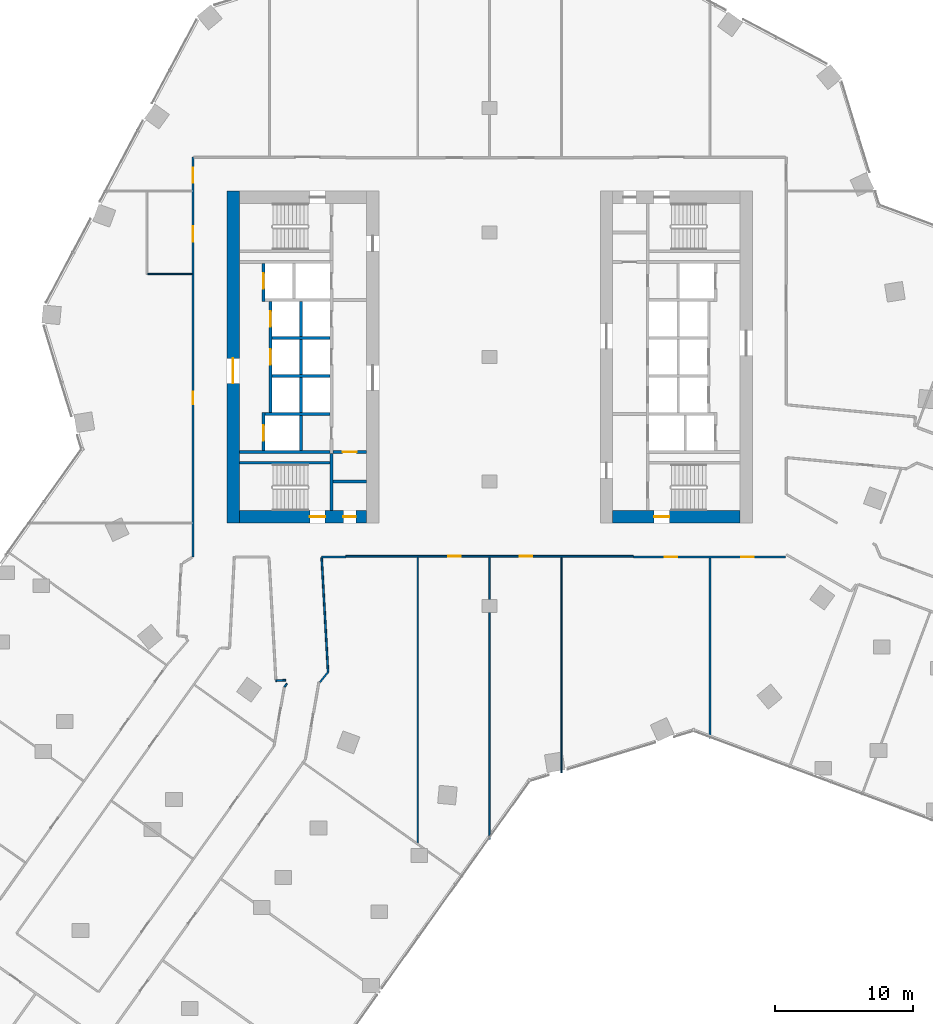
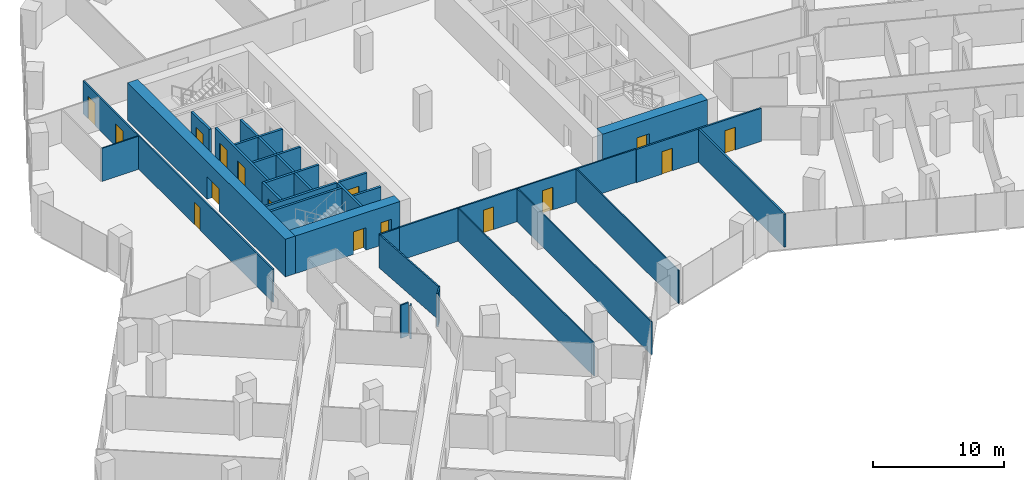
# One storey, part 24 of 31: 31 walls, 16 doors, 16 openings.
"""IFC4 building model written with IfcOpenShell, lengths in metres."""

from ifc_helpers import new_model, si_unit, direction, frame, frame_2d, origin, place, context, subcontext, project, spatial, rectangle, extrude, material, layer, layer_set, type_object, element, fill, save


model = new_model("IFC4")

# Units and contexts
model_context = context("Model", 3, precision=1e-05, world=origin(), true_north=direction((0.0, 1.0)))
body_context = subcontext(model_context, "Body", "Model", "MODEL_VIEW")
ifc_project = project(units=[si_unit("LENGTHUNIT", "METRE"), si_unit("AREAUNIT", "SQUARE_METRE"), si_unit("VOLUMEUNIT", "CUBIC_METRE"), si_unit("PLANEANGLEUNIT", "RADIAN"), si_unit("MASSUNIT", "GRAM", prefix="KILO")], contexts=[model_context])

# Site, building, storey
site_placement = place(None, origin())
site = spatial("IfcSite", under=ifc_project, at=site_placement, CompositionType="ELEMENT")
building_placement = place(site_placement, origin())
building = spatial("IfcBuilding", under=site, at=building_placement, Name="Orlundy Tower", CompositionType="ELEMENT")
storey_placement = place(building_placement, frame((0.0, 0.0, 84.199951171875)))
storey = spatial("IfcBuildingStorey", under=building, at=storey_placement, Name="L20", CompositionType="ELEMENT", Elevation=84.199951171875)

# Wall, openings, doors
ifc_material_1 = material(Name="Concrete C80/95", Category="concrete")
ifc_layer_1 = layer(ifc_material_1, 0.89990234375)
ifc_layer_set_1 = layer_set([ifc_layer_1], Name="CORE WALL 900 C80/95")
wall_type_1 = type_object("IfcWallType", Name="CORE WALL 900 C80/95", PredefinedType="SHEAR", material=ifc_layer_set_1)
wall_1_placement = place(storey_placement, frame((-18.10009765625, -11.550048828125, 0.0), z_axis=(0.0, 0.0, 1.0), x_axis=(1.0, 0.0, 0.0)))
wall_1 = element("IfcWall", 1, at=wall_1_placement, inside=storey, type_object=wall_type_1, Name="Core wall W-S L20", PredefinedType="SHEAR", context=body_context, shape_type="SweptSolid", body=[
    extrude(rectangle(XDim=9.2001953125, YDim=0.89990234375, at=frame_2d((4.60009765625, 0.0))), origin(), (0.0, 0.0, 1.0), 3.5),
])
opening_1_placement = place(wall_1_placement, frame((5.10009765625, 0.0, 0.0)))
opening_1 = element("IfcOpeningElement", 2, at=opening_1_placement, cuts=wall_1, Name="Opening 17013", PredefinedType="OPENING", context=body_context, shape_type="SweptSolid", body=[
    extrude(rectangle(XDim=1.10009765625, YDim=2.10009765625, at=frame_2d((0.550048828125, 1.050048828125))), frame((0.0, 0.4599609375, 0.0), z_axis=(0.0, -1.0, 0.0), x_axis=(1.0, 0.0, 0.0)), (0.0, 0.0, 1.0), 0.919921875),
])
opening_2_placement = place(wall_1_placement, frame((7.530029296875, 0.0, 0.0)))
opening_2 = element("IfcOpeningElement", 3, at=opening_2_placement, cuts=wall_1, Name="Opening 17015", PredefinedType="OPENING", context=body_context, shape_type="SweptSolid", body=[
    extrude(rectangle(XDim=0.89990234375, YDim=2.10009765625, at=frame_2d((0.449951171875, 1.050048828125))), frame((0.0, 0.4599609375, 0.0), z_axis=(0.0, -1.0, 0.0), x_axis=(1.0, 0.0, 0.0)), (0.0, 0.0, 1.0), 0.919921875),
])
ifc_material_2 = material(Name="Timber door set", Category="wood")
door_type_1 = type_object("IfcDoorType", Name="Room Door 900x2100", OperationType="SINGLE_SWING_LEFT", PredefinedType="DOOR", material=ifc_material_2)
door_1_placement = place(opening_2_placement, origin())
door_1 = element("IfcDoor", 4, at=door_1_placement, inside=storey, type_object=door_type_1, Name="Store door 17015", OperationType="SINGLE_SWING_RIGHT", OverallHeight=2.10009765625, OverallWidth=0.89990234375, PredefinedType="DOOR", context=body_context, shape_type="SweptSolid", body=[
    extrude(rectangle(XDim=0.89990234375, YDim=2.10009765625, at=frame_2d((0.449951171875, 1.050048828125))), frame((0.0, 0.02490234375, 0.0), z_axis=(0.0, -1.0, 0.0), x_axis=(1.0, 0.0, 0.0)), (0.0, 0.0, 1.0), 0.050048828125),
])
fill(opening_2, door_1)
ifc_material_3 = material(Name="Steel door set", Category="steel")
door_type_2 = type_object("IfcDoorType", Name="Stair Door 1100x2100", OperationType="SINGLE_SWING_LEFT", PredefinedType="DOOR", material=ifc_material_3)
door_2_placement = place(opening_1_placement, origin())
door_2 = element("IfcDoor", 5, at=door_2_placement, inside=storey, type_object=door_type_2, Name="Stair door 17013", OperationType="SINGLE_SWING_RIGHT", OverallHeight=2.10009765625, OverallWidth=1.10009765625, PredefinedType="DOOR", context=body_context, shape_type="SweptSolid", body=[
    extrude(rectangle(XDim=1.10009765625, YDim=2.10009765625, at=frame_2d((0.550048828125, 1.050048828125))), frame((0.0, 0.02490234375, 0.0), z_axis=(0.0, -1.0, 0.0), x_axis=(1.0, 0.0, 0.0)), (0.0, 0.0, 1.0), 0.050048828125),
])
fill(opening_1, door_2)

# Wall, opening, door
wall_2_placement = place(storey_placement, frame((-18.550048828125, -12.0, 0.0), z_axis=(0.0, 0.0, 1.0), x_axis=(0.0, 1.0, 0.0)))
wall_2 = element("IfcWall", 6, at=wall_2_placement, inside=storey, type_object=wall_type_1, Name="Core wall W-W L20", PredefinedType="SHEAR", context=body_context, shape_type="SweptSolid", body=[
    extrude(rectangle(XDim=24.0, YDim=0.89990234375, at=frame_2d((12.0, 0.0))), origin(), (0.0, 0.0, 1.0), 3.5),
])
opening_3_placement = place(wall_2_placement, frame((10.10009765625, 0.0, 0.0)))
opening_3 = element("IfcOpeningElement", 7, at=opening_3_placement, cuts=wall_2, Name="Opening 17010", PredefinedType="OPENING", context=body_context, shape_type="SweptSolid", body=[
    extrude(rectangle(XDim=1.800048828125, YDim=2.10009765625, at=frame_2d((0.89990234375, 1.050048828125))), frame((0.0, 0.4599609375, 0.0), z_axis=(0.0, -1.0, 0.0), x_axis=(1.0, 0.0, 0.0)), (0.0, 0.0, 1.0), 0.919921875),
])
ifc_material_4 = material(Name="Timber door set", Category="wood")
door_type_3 = type_object("IfcDoorType", Name="Lobby Door 1800x2100", OperationType="DOUBLE_DOOR_DOUBLE_SWING", PredefinedType="DOOR", material=ifc_material_4)
door_3_placement = place(opening_3_placement, origin())
door_3 = element("IfcDoor", 8, at=door_3_placement, inside=storey, type_object=door_type_3, Name="Lift lobby door 17010", OperationType="SINGLE_SWING_LEFT", OverallHeight=2.10009765625, OverallWidth=1.800048828125, PredefinedType="DOOR", context=body_context, shape_type="SweptSolid", body=[
    extrude(rectangle(XDim=1.800048828125, YDim=2.10009765625, at=frame_2d((0.89990234375, 1.050048828125))), frame((0.0, 0.02490234375, 0.0), z_axis=(0.0, -1.0, 0.0), x_axis=(1.0, 0.0, 0.0)), (0.0, 0.0, 1.0), 0.050048828125),
])
fill(opening_3, door_3)

wall_3_placement = place(storey_placement, frame((8.89990234375, -11.550048828125, 0.0), z_axis=(0.0, 0.0, 1.0), x_axis=(1.0, 0.0, 0.0)))
wall_3 = element("IfcWall", 9, at=wall_3_placement, inside=storey, type_object=wall_type_1, Name="Core wall E-S L20", PredefinedType="SHEAR", context=body_context, shape_type="SweptSolid", body=[
    extrude(rectangle(XDim=9.2001953125, YDim=0.89990234375, at=frame_2d((4.60009765625, 0.0))), origin(), (0.0, 0.0, 1.0), 3.5),
])
opening_4_placement = place(wall_3_placement, frame((3.0, 0.0, 0.0)))
opening_4 = element("IfcOpeningElement", 10, at=opening_4_placement, cuts=wall_3, Name="Opening 17061", PredefinedType="OPENING", context=body_context, shape_type="SweptSolid", body=[
    extrude(rectangle(XDim=1.10009765625, YDim=2.10009765625, at=frame_2d((0.550048828125, 1.050048828125))), frame((0.0, 0.4599609375, 0.0), z_axis=(0.0, -1.0, 0.0), x_axis=(1.0, 0.0, 0.0)), (0.0, 0.0, 1.0), 0.919921875),
])
door_4_placement = place(opening_4_placement, origin())
door_4 = element("IfcDoor", 11, at=door_4_placement, inside=storey, type_object=door_type_2, Name="Stair door 17061", OperationType="SINGLE_SWING_LEFT", OverallHeight=2.10009765625, OverallWidth=1.10009765625, PredefinedType="DOOR", context=body_context, shape_type="SweptSolid", body=[
    extrude(rectangle(XDim=1.10009765625, YDim=2.10009765625, at=frame_2d((0.550048828125, 1.050048828125))), frame((0.0, 0.02490234375, 0.0), z_axis=(0.0, -1.0, 0.0), x_axis=(1.0, 0.0, 0.0)), (0.0, 0.0, 1.0), 0.050048828125),
])
fill(opening_4, door_4)

# Walls
ifc_material_5 = material(Name="Gypsum board partition")
ifc_layer_2 = layer(ifc_material_5, 0.10009765625)
ifc_layer_set_2 = layer_set([ifc_layer_2], Name="Floor partition 100")
wall_type_2 = type_object("IfcWallType", Name="Floor partition 100", PredefinedType="PARTITIONING", material=ifc_layer_set_2)
wall_4_placement = place(storey_placement, frame((-24.73193359375, 6.0009765625, 0.0), z_axis=(0.0, 0.0, 1.0), x_axis=(1.0, 0.0, 0.0)))
element("IfcWall", 12, at=wall_4_placement, inside=storey, type_object=wall_type_2, Name="wall-int-L20-036", PredefinedType="PARTITIONING", context=body_context, shape_type="SweptSolid", body=[
    extrude(rectangle(XDim=3.219970703125, YDim=0.10009765625, at=frame_2d((1.60986328125, 0.0))), origin(), (0.0, 0.0, 1.0), 3.080078125),
])
wall_5_placement = place(storey_placement, frame((5.196044921875, -30.04296875, 0.0), z_axis=(0.0, 0.0, 1.0), x_axis=(0.0, 1.0, 0.0)))
element("IfcWall", 13, at=wall_5_placement, inside=storey, type_object=wall_type_2, Name="wall-int-L20-081", PredefinedType="PARTITIONING", context=body_context, shape_type="SweptSolid", body=[
    extrude(rectangle(XDim=15.580078125, YDim=0.10009765625, at=frame_2d((7.7900390625, 0.0))), origin(), (0.0, 0.0, 1.0), 3.080078125),
])
wall_6_placement = place(storey_placement, frame((0.0, -34.87109375, 0.0), z_axis=(0.0, 0.0, 1.0), x_axis=(0.0, 1.0, 0.0)))
element("IfcWall", 14, at=wall_6_placement, inside=storey, type_object=wall_type_2, Name="wall-int-L20-083", PredefinedType="PARTITIONING", context=body_context, shape_type="SweptSolid", body=[
    extrude(rectangle(XDim=20.408203125, YDim=0.10009765625, at=frame_2d((10.2041015625, 0.0))), origin(), (0.0, 0.0, 1.0), 3.080078125),
])
wall_7_placement = place(storey_placement, frame((-5.195068359375, -35.126953125, 0.0), z_axis=(0.0, 0.0, 1.0), x_axis=(0.0, 1.0, 0.0)))
element("IfcWall", 15, at=wall_7_placement, inside=storey, type_object=wall_type_2, Name="wall-int-L20-085", PredefinedType="PARTITIONING", context=body_context, shape_type="SweptSolid", body=[
    extrude(rectangle(XDim=20.6640625, YDim=0.10009765625, at=frame_2d((10.33203125, 0.0))), origin(), (0.0, 0.0, 1.0), 3.080078125),
])
ifc_material_6 = material(Name="Gypsum board partition, double layer")
ifc_layer_3 = layer(ifc_material_6, 0.125)
ifc_layer_set_3 = layer_set([ifc_layer_3], Name="Floor partition 125")
wall_type_3 = type_object("IfcWallType", Name="Floor partition 125", PredefinedType="PARTITIONING", material=ifc_layer_set_3)
wall_8_placement = place(storey_placement, frame((-12.14404296875, -14.512939453125, 0.0), z_axis=(0.0, 0.0, 1.0), x_axis=(0.055914043425, -0.998435586179, 0.0)))
element("IfcWall", 16, at=wall_8_placement, inside=storey, type_object=wall_type_3, Name="wall-int-L20-002", PredefinedType="PARTITIONING", context=body_context, shape_type="SweptSolid", body=[
    extrude(rectangle(XDim=8.282958984375, YDim=0.125, at=frame_2d((4.1416015625, 0.0))), origin(), (0.0, 0.0, 1.0), 3.080078125),
])
wall_9_placement = place(storey_placement, frame((-12.14697265625, -14.450927734375, 0.0), z_axis=(0.0, 0.0, 1.0), x_axis=(1.0, 0.0, 0.0)))
element("IfcWall", 17, at=wall_9_placement, inside=storey, type_object=wall_type_3, Name="wall-int-L20-032", PredefinedType="PARTITIONING", context=body_context, shape_type="SweptSolid", body=[
    extrude(rectangle(XDim=1.755859375, YDim=0.125, at=frame_2d((0.8779296875, 0.0))), origin(), (0.0, 0.0, 1.0), 3.080078125),
])

# Wall, openings, doors
wall_10_placement = place(storey_placement, frame((10.39111328125, -14.40087890625, 0.0), z_axis=(0.0, 0.0, 1.0), x_axis=(-1.0, 0.0, 0.0)))
wall_10 = element("IfcWall", 18, at=wall_10_placement, inside=storey, type_object=wall_type_3, Name="wall-int-L20-034", PredefinedType="PARTITIONING", context=body_context, shape_type="SweptSolid", body=[
    extrude(rectangle(XDim=20.781005859375, YDim=0.125, at=frame_2d((10.390625, 0.0))), origin(), (0.0, 0.0, 1.0), 3.080078125),
])
opening_5_placement = place(wall_10_placement, frame((12.490966796875, 0.0, 0.0)))
opening_5 = element("IfcOpeningElement", 19, at=opening_5_placement, cuts=wall_10, Name="Opening 17126", PredefinedType="OPENING", context=body_context, shape_type="SweptSolid", body=[
    extrude(rectangle(XDim=0.89990234375, YDim=2.10009765625, at=frame_2d((0.449951171875, 1.050048828125))), frame((0.0, 0.072509765625, 0.0), z_axis=(0.0, -1.0, 0.0), x_axis=(1.0, 0.0, 0.0)), (0.0, 0.0, 1.0), 0.14501953125),
])
opening_6_placement = place(wall_10_placement, frame((7.294921875, 0.0, 0.0)))
opening_6 = element("IfcOpeningElement", 20, at=opening_6_placement, cuts=wall_10, Name="Opening 17127", PredefinedType="OPENING", context=body_context, shape_type="SweptSolid", body=[
    extrude(rectangle(XDim=0.89990234375, YDim=2.10009765625, at=frame_2d((0.449951171875, 1.050048828125))), frame((0.0, 0.072509765625, 0.0), z_axis=(0.0, -1.0, 0.0), x_axis=(1.0, 0.0, 0.0)), (0.0, 0.0, 1.0), 0.14501953125),
])
ifc_material_7 = material(Name="Timber door leaf", Category="wood")
door_type_4 = type_object("IfcDoorType", Name="Floor door single 900 FD30S", OperationType="NOTDEFINED", PredefinedType="DOOR", material=ifc_material_7)
door_5_placement = place(opening_5_placement, origin())
door_5 = element("IfcDoor", 21, at=door_5_placement, inside=storey, type_object=door_type_4, Name="Door 17126", OperationType="SINGLE_SWING_RIGHT", OverallHeight=2.10009765625, OverallWidth=0.89990234375, PredefinedType="DOOR", context=body_context, shape_type="SweptSolid", body=[
    extrude(rectangle(XDim=0.89990234375, YDim=2.10009765625, at=frame_2d((0.449951171875, 1.050048828125))), frame((0.0, 0.02490234375, 0.0), z_axis=(0.0, -1.0, 0.0), x_axis=(1.0, 0.0, 0.0)), (0.0, 0.0, 1.0), 0.050048828125),
])
fill(opening_5, door_5)
door_6_placement = place(opening_6_placement, origin())
door_6 = element("IfcDoor", 22, at=door_6_placement, inside=storey, type_object=door_type_4, Name="Door 17127", OperationType="SINGLE_SWING_LEFT", OverallHeight=2.10009765625, OverallWidth=0.89990234375, PredefinedType="DOOR", context=body_context, shape_type="SweptSolid", body=[
    extrude(rectangle(XDim=0.89990234375, YDim=2.10009765625, at=frame_2d((0.449951171875, 1.050048828125))), frame((0.0, 0.02490234375, 0.0), z_axis=(0.0, -1.0, 0.0), x_axis=(1.0, 0.0, 0.0)), (0.0, 0.0, 1.0), 0.050048828125),
])
fill(opening_6, door_6)

# Walls
wall_11_placement = place(storey_placement, frame((-15.451904296875, -23.404052734375, 0.0), z_axis=(0.0, 0.0, 1.0), x_axis=(0.99844205744, 0.055798368561, 0.0)))
element("IfcWall", 23, at=wall_11_placement, inside=storey, type_object=wall_type_3, Name="wall-int-L20-042", PredefinedType="PARTITIONING", context=body_context, shape_type="SweptSolid", body=[
    extrude(rectangle(XDim=0.699951171875, YDim=0.125, at=frame_2d((0.35009765625, 0.0))), origin(), (0.0, 0.0, 1.0), 3.080078125),
])
wall_12_placement = place(storey_placement, frame((-12.261962890625, -23.501953125, 0.0), z_axis=(0.0, 0.0, 1.0), x_axis=(0.628552238649, 0.777767370934, 0.0)))
element("IfcWall", 24, at=wall_12_placement, inside=storey, type_object=wall_type_3, Name="wall-int-L20-043", PredefinedType="PARTITIONING", context=body_context, shape_type="SweptSolid", body=[
    extrude(rectangle(XDim=0.92431640625, YDim=0.125, at=frame_2d((0.462158203125, 0.0))), origin(), (0.0, 0.0, 1.0), 3.080078125),
])
wall_13_placement = place(storey_placement, frame((-14.840087890625, -23.85693359375, 0.0), z_axis=(0.0, 0.0, 1.0), x_axis=(0.586176879317, 0.810183106559, 0.0)))
element("IfcWall", 25, at=wall_13_placement, inside=storey, type_object=wall_type_3, Name="wall-int-L20-047", PredefinedType="PARTITIONING", context=body_context, shape_type="SweptSolid", body=[
    extrude(rectangle(XDim=0.298583984375, YDim=0.125, at=frame_2d((0.1494140625, 0.0))), origin(), (0.0, 0.0, 1.0), 3.080078125),
])

# Wall, openings, doors
wall_14_placement = place(storey_placement, frame((-21.449951171875, -14.444091796875, 0.0), z_axis=(0.0, 0.0, 1.0), x_axis=(0.0, 1.0, 0.0)))
wall_14 = element("IfcWall", 26, at=wall_14_placement, inside=storey, type_object=wall_type_3, Name="wall-int-L20-088", PredefinedType="PARTITIONING", context=body_context, shape_type="SweptSolid", body=[
    extrude(rectangle(XDim=28.89501953125, YDim=0.125, at=frame_2d((14.447509765625, 0.0))), origin(), (0.0, 0.0, 1.0), 3.080078125),
])
opening_7_placement = place(wall_14_placement, frame((11.0439453125, 0.0, 0.0)))
opening_7 = element("IfcOpeningElement", 27, at=opening_7_placement, cuts=wall_14, Name="Opening 17122", PredefinedType="OPENING", context=body_context, shape_type="SweptSolid", body=[
    extrude(rectangle(XDim=0.89990234375, YDim=2.10009765625, at=frame_2d((0.449951171875, 1.050048828125))), frame((0.0, 0.072509765625, 0.0), z_axis=(0.0, -1.0, 0.0), x_axis=(1.0, 0.0, 0.0)), (0.0, 0.0, 1.0), 0.14501953125),
])
opening_8_placement = place(wall_14_placement, frame((27.0439453125, 0.0, 0.0)))
opening_8 = element("IfcOpeningElement", 28, at=opening_8_placement, cuts=wall_14, Name="Opening 17137", PredefinedType="OPENING", context=body_context, shape_type="SweptSolid", body=[
    extrude(rectangle(XDim=1.10009765625, YDim=2.10009765625, at=frame_2d((0.550048828125, 1.050048828125))), frame((0.0, 0.072509765625, 0.0), z_axis=(0.0, -1.0, 0.0), x_axis=(1.0, 0.0, 0.0)), (0.0, 0.0, 1.0), 0.14501953125),
])
opening_9_placement = place(wall_14_placement, frame((22.794921875, 0.0, 0.0)))
opening_9 = element("IfcOpeningElement", 29, at=opening_9_placement, cuts=wall_14, Name="Opening 17138", PredefinedType="OPENING", context=body_context, shape_type="SweptSolid", body=[
    extrude(rectangle(XDim=1.10009765625, YDim=2.10009765625, at=frame_2d((0.550048828125, 1.050048828125))), frame((0.0, 0.072509765625, 0.0), z_axis=(0.0, -1.0, 0.0), x_axis=(1.0, 0.0, 0.0)), (0.0, 0.0, 1.0), 0.14501953125),
])
door_7_placement = place(opening_7_placement, origin())
door_7 = element("IfcDoor", 30, at=door_7_placement, inside=storey, type_object=door_type_4, Name="Door 17122", OperationType="SINGLE_SWING_LEFT", OverallHeight=2.10009765625, OverallWidth=0.89990234375, PredefinedType="DOOR", context=body_context, shape_type="SweptSolid", body=[
    extrude(rectangle(XDim=0.89990234375, YDim=2.10009765625, at=frame_2d((0.449951171875, 1.050048828125))), frame((0.0, 0.02490234375, 0.0), z_axis=(0.0, -1.0, 0.0), x_axis=(1.0, 0.0, 0.0)), (0.0, 0.0, 1.0), 0.050048828125),
])
fill(opening_7, door_7)
ifc_material_8 = material(Name="Timber door leaf", Category="wood")
door_type_5 = type_object("IfcDoorType", Name="Floor door xwide 1100 FD30S", OperationType="NOTDEFINED", PredefinedType="DOOR", material=ifc_material_8)
door_8_placement = place(opening_8_placement, origin())
door_8 = element("IfcDoor", 31, at=door_8_placement, inside=storey, type_object=door_type_5, Name="Door 17137", OperationType="SINGLE_SWING_RIGHT", OverallHeight=2.10009765625, OverallWidth=1.10009765625, PredefinedType="DOOR", context=body_context, shape_type="SweptSolid", body=[
    extrude(rectangle(XDim=1.10009765625, YDim=2.10009765625, at=frame_2d((0.550048828125, 1.050048828125))), frame((0.0, 0.02490234375, 0.0), z_axis=(0.0, -1.0, 0.0), x_axis=(1.0, 0.0, 0.0)), (0.0, 0.0, 1.0), 0.050048828125),
])
fill(opening_8, door_8)
door_9_placement = place(opening_9_placement, origin())
door_9 = element("IfcDoor", 32, at=door_9_placement, inside=storey, type_object=door_type_5, Name="Door 17138", OperationType="SINGLE_SWING_RIGHT", OverallHeight=2.10009765625, OverallWidth=1.10009765625, PredefinedType="DOOR", context=body_context, shape_type="SweptSolid", body=[
    extrude(rectangle(XDim=1.10009765625, YDim=2.10009765625, at=frame_2d((0.550048828125, 1.050048828125))), frame((0.0, 0.02490234375, 0.0), z_axis=(0.0, -1.0, 0.0), x_axis=(1.0, 0.0, 0.0)), (0.0, 0.0, 1.0), 0.050048828125),
])
fill(opening_9, door_9)

ifc_material_9 = material(Name="Blockwork shaft wall", Category="masonry")
ifc_layer_4 = layer(ifc_material_9, 0.14990234375)
ifc_layer_set_4 = layer_set([ifc_layer_4], Name="Floor shaft wall 150")
wall_type_4 = type_object("IfcWallType", Name="Floor shaft wall 150", PredefinedType="PARTITIONING", material=ifc_layer_set_4)
wall_15_placement = place(storey_placement, frame((21.375, -14.450927734375, 0.0), z_axis=(0.0, 0.0, 1.0), x_axis=(-1.0, 0.0, 0.0)))
wall_15 = element("IfcWall", 33, at=wall_15_placement, inside=storey, type_object=wall_type_4, Name="wall-int-L20-033", PredefinedType="PARTITIONING", context=body_context, shape_type="SweptSolid", body=[
    extrude(rectangle(XDim=10.98388671875, YDim=0.14990234375, at=frame_2d((5.491943359375, 0.0))), origin(), (0.0, 0.0, 1.0), 3.080078125),
])
opening_10_placement = place(wall_15_placement, frame((7.803955078125, 0.0, 0.0)))
opening_10 = element("IfcOpeningElement", 34, at=opening_10_placement, cuts=wall_15, Name="Opening 17128", PredefinedType="OPENING", context=body_context, shape_type="SweptSolid", body=[
    extrude(rectangle(XDim=0.89990234375, YDim=2.10009765625, at=frame_2d((0.449951171875, 1.050048828125))), frame((0.0, 0.0849609375, 0.0), z_axis=(0.0, -1.0, 0.0), x_axis=(1.0, 0.0, 0.0)), (0.0, 0.0, 1.0), 0.169921875),
])
opening_11_placement = place(wall_15_placement, frame((2.27490234375, 0.0, 0.0)))
opening_11 = element("IfcOpeningElement", 35, at=opening_11_placement, cuts=wall_15, Name="Opening 17129", PredefinedType="OPENING", context=body_context, shape_type="SweptSolid", body=[
    extrude(rectangle(XDim=0.89990234375, YDim=2.10009765625, at=frame_2d((0.449951171875, 1.050048828125))), frame((0.0, 0.0849609375, 0.0), z_axis=(0.0, -1.0, 0.0), x_axis=(1.0, 0.0, 0.0)), (0.0, 0.0, 1.0), 0.169921875),
])
ifc_material_10 = material(Name="Timber door leaf", Category="wood")
door_type_6 = type_object("IfcDoorType", Name="Floor door single 900 FD60", OperationType="NOTDEFINED", PredefinedType="DOOR", material=ifc_material_10)
door_10_placement = place(opening_10_placement, origin())
door_10 = element("IfcDoor", 36, at=door_10_placement, inside=storey, type_object=door_type_6, Name="Door 17128", OperationType="SINGLE_SWING_RIGHT", OverallHeight=2.10009765625, OverallWidth=0.89990234375, PredefinedType="DOOR", context=body_context, shape_type="SweptSolid", body=[
    extrude(rectangle(XDim=0.89990234375, YDim=2.10009765625, at=frame_2d((0.449951171875, 1.050048828125))), frame((0.0, 0.02490234375, 0.0), z_axis=(0.0, -1.0, 0.0), x_axis=(1.0, 0.0, 0.0)), (0.0, 0.0, 1.0), 0.050048828125),
])
fill(opening_10, door_10)
door_11_placement = place(opening_11_placement, origin())
door_11 = element("IfcDoor", 37, at=door_11_placement, inside=storey, type_object=door_type_6, Name="Door 17129", OperationType="SINGLE_SWING_LEFT", OverallHeight=2.10009765625, OverallWidth=0.89990234375, PredefinedType="DOOR", context=body_context, shape_type="SweptSolid", body=[
    extrude(rectangle(XDim=0.89990234375, YDim=2.10009765625, at=frame_2d((0.449951171875, 1.050048828125))), frame((0.0, 0.02490234375, 0.0), z_axis=(0.0, -1.0, 0.0), x_axis=(1.0, 0.0, 0.0)), (0.0, 0.0, 1.0), 0.050048828125),
])
fill(opening_11, door_11)

# Walls
wall_16_placement = place(storey_placement, frame((15.9208984375, -27.572021484375, 0.0), z_axis=(0.0, 0.0, 1.0), x_axis=(0.0, 1.0, 0.0)))
element("IfcWall", 38, at=wall_16_placement, inside=storey, type_object=wall_type_4, Name="wall-int-L20-079", PredefinedType="PARTITIONING", context=body_context, shape_type="SweptSolid", body=[
    extrude(rectangle(XDim=13.046142578125, YDim=0.14990234375, at=frame_2d((6.52294921875, 0.0))), origin(), (0.0, 0.0, 1.0), 3.080078125),
])
ifc_material_11 = material(Name="Concrete C40/50", Category="concrete")
ifc_layer_5 = layer(ifc_material_11, 0.199951171875)
ifc_layer_set_5 = layer_set([ifc_layer_5], Name="Load-bearing Shaft Wall 200")
wall_type_5 = type_object("IfcWallType", Name="Load-bearing Shaft Wall 200", PredefinedType="SOLIDWALL", material=ifc_layer_set_5)
wall_17_placement = place(storey_placement, frame((-11.43994140625, -11.10009765625, 0.0), z_axis=(0.0, 0.0, 1.0), x_axis=(0.0, 1.0, 0.0)))
element("IfcWall", 39, at=wall_17_placement, inside=storey, type_object=wall_type_5, Name="Shaft wall W17-stair-end-s", PredefinedType="SOLIDWALL", context=body_context, shape_type="SweptSolid", body=[
    extrude(rectangle(XDim=4.125, YDim=0.199951171875, at=frame_2d((2.0625, 0.0))), origin(), (0.0, 0.0, 1.0), 3.090087890625),
])
wall_18_placement = place(storey_placement, frame((-11.5400390625, -7.64990234375, 0.0), z_axis=(0.0, 0.0, 1.0), x_axis=(-1.0, 0.0, 0.0)))
element("IfcWall", 40, at=wall_18_placement, inside=storey, type_object=wall_type_5, Name="Shaft wall W17-stair-side-s", PredefinedType="SOLIDWALL", context=body_context, shape_type="SweptSolid", body=[
    extrude(rectangle(XDim=6.56005859375, YDim=0.199951171875, at=frame_2d((3.280029296875, 0.0))), origin(), (0.0, 0.0, 1.0), 3.090087890625),
])

# Wall, opening, door
ifc_material_12 = material(Name="Gypsum board partition on steel studs", Category="steel")
ifc_layer_6 = layer(ifc_material_12, 0.199951171875)
ifc_layer_set_6 = layer_set([ifc_layer_6], Name="Partition 200")
wall_type_6 = type_object("IfcWallType", Name="Partition 200", PredefinedType="PARTITIONING", material=ifc_layer_set_6)
wall_19_placement = place(storey_placement, frame((-8.89990234375, -6.875, 0.0), z_axis=(0.0, 0.0, 1.0), x_axis=(-1.0, 0.0, 0.0)))
wall_19 = element("IfcWall", 41, at=wall_19_placement, inside=storey, type_object=wall_type_6, Name="Partition wall W17-end-s", PredefinedType="PARTITIONING", context=body_context, shape_type="SweptSolid", body=[
    extrude(rectangle(XDim=2.440185546875, YDim=0.199951171875, at=frame_2d((1.22021484375, 0.0))), origin(), (0.0, 0.0, 1.0), 3.090087890625),
])
opening_12_placement = place(wall_19_placement, frame((0.719970703125, 0.0, 0.0)))
opening_12 = element("IfcOpeningElement", 42, at=opening_12_placement, cuts=wall_19, Name="Opening 17016", PredefinedType="OPENING", context=body_context, shape_type="SweptSolid", body=[
    extrude(rectangle(XDim=1.0, YDim=2.10009765625, at=frame_2d((0.5, 1.050048828125))), frame((0.0, 0.110107421875, 0.0), z_axis=(0.0, -1.0, 0.0), x_axis=(1.0, 0.0, 0.0)), (0.0, 0.0, 1.0), 0.22021484375),
])
ifc_material_13 = material(Name="Timber door set", Category="wood")
door_type_7 = type_object("IfcDoorType", Name="Accessible Door 1000x2100", OperationType="SINGLE_SWING_LEFT", PredefinedType="DOOR", material=ifc_material_13)
door_12_placement = place(opening_12_placement, origin())
door_12 = element("IfcDoor", 43, at=door_12_placement, inside=storey, type_object=door_type_7, Name="Accessible WC door 17016", OperationType="SINGLE_SWING_RIGHT", OverallHeight=2.10009765625, OverallWidth=1.0, PredefinedType="DOOR", context=body_context, shape_type="SweptSolid", body=[
    extrude(rectangle(XDim=1.0, YDim=2.10009765625, at=frame_2d((0.5, 1.050048828125))), frame((0.0, 0.02490234375, 0.0), z_axis=(0.0, -1.0, 0.0), x_axis=(1.0, 0.0, 0.0)), (0.0, 0.0, 1.0), 0.050048828125),
])
fill(opening_12, door_12)

# Walls
wall_20_placement = place(storey_placement, frame((-8.89990234375, -9.0, 0.0), z_axis=(0.0, 0.0, 1.0), x_axis=(-1.0, 0.0, 0.0)))
element("IfcWall", 44, at=wall_20_placement, inside=storey, type_object=wall_type_6, Name="Partition wall W17-room-s0", PredefinedType="PARTITIONING", context=body_context, shape_type="SweptSolid", body=[
    extrude(rectangle(XDim=2.440185546875, YDim=0.199951171875, at=frame_2d((1.22021484375, 0.0))), origin(), (0.0, 0.0, 1.0), 3.090087890625),
])
ifc_material_14 = material(Name="Fire-rated blockwork shaft wall", Category="masonry")
ifc_layer_7 = layer(ifc_material_14, 0.199951171875)
ifc_layer_set_7 = layer_set([ifc_layer_7], Name="Shaft Wall 200")
wall_type_7 = type_object("IfcWallType", Name="Shaft Wall 200", PredefinedType="SOLIDWALL", material=ifc_layer_set_7)
wall_21_placement = place(storey_placement, frame((-11.5400390625, -6.875, 0.0), z_axis=(0.0, 0.0, 1.0), x_axis=(-1.0, 0.0, 0.0)))
element("IfcWall", 45, at=wall_21_placement, inside=storey, type_object=wall_type_7, Name="Shaft wall W17-zone-s", PredefinedType="SOLIDWALL", context=body_context, shape_type="SweptSolid", body=[
    extrude(rectangle(XDim=6.56005859375, YDim=0.199951171875, at=frame_2d((3.280029296875, 0.0))), origin(), (0.0, 0.0, 1.0), 3.090087890625),
])
wall_22_placement = place(storey_placement, frame((-11.5400390625, -4.125, 0.0), z_axis=(0.0, 0.0, 1.0), x_axis=(-1.0, 0.0, 0.0)))
element("IfcWall", 46, at=wall_22_placement, inside=storey, type_object=wall_type_7, Name="Shaft wall W17-cross-4.125", PredefinedType="SOLIDWALL", context=body_context, shape_type="SweptSolid", body=[
    extrude(rectangle(XDim=4.699951171875, YDim=0.199951171875, at=frame_2d((2.35009765625, 0.0))), origin(), (0.0, 0.0, 1.0), 3.090087890625),
])
for number, where, z_axis, x_axis, name in (
    (47, (-11.5400390625, -1.375, 0.0), (0.0, 0.0, 1.0), (-1.0, 0.0, 0.0), "Shaft wall W17-cross-1.375"),
    (48, (-11.5400390625, 1.375, 0.0), (0.0, 0.0, 1.0), (-1.0, 0.0, 0.0), "Shaft wall W17-cross+1.375"),
):
    element("IfcWall", number, at=place(storey_placement, frame(where, z_axis=z_axis, x_axis=x_axis)), inside=storey, type_object=wall_type_7, Name=name, PredefinedType="SOLIDWALL", context=body_context, shape_type="SweptSolid", body=[
        extrude(rectangle(XDim=4.199951171875, YDim=0.199951171875, at=frame_2d((2.10009765625, 0.0))), origin(), (0.0, 0.0, 1.0), 3.090087890625),
    ])
for number, where, z_axis, x_axis, name in (
    (49, (-13.639892578125, -6.77490234375, 0.0), (0.0, 0.0, 1.0), (0.0, 1.0, 0.0), "Shaft wall W17-mid-a"),
    (50, (-13.639892578125, -4.02490234375, 0.0), (0.0, 0.0, 1.0), (0.0, 1.0, 0.0), "Shaft wall W17-mid-a.1"),
    (51, (-13.639892578125, -1.27490234375, 0.0), (0.0, 0.0, 1.0), (0.0, 1.0, 0.0), "Shaft wall W17-mid-a.2"),
    (52, (-13.639892578125, 1.47509765625, 0.0), (0.0, 0.0, 1.0), (0.0, 1.0, 0.0), "Shaft wall W17-mid-a.3"),
):
    element("IfcWall", number, at=place(storey_placement, frame(where, z_axis=z_axis, x_axis=x_axis)), inside=storey, type_object=wall_type_7, Name=name, PredefinedType="SOLIDWALL", context=body_context, shape_type="SweptSolid", body=[
        extrude(rectangle(XDim=2.5498046875, YDim=0.199951171875, at=frame_2d((1.27490234375, 0.0))), origin(), (0.0, 0.0, 1.0), 3.090087890625),
    ])

# Wall, opening, door
wall_23_placement = place(storey_placement, frame((-16.340087890625, -6.77490234375, 0.0), z_axis=(0.0, 0.0, 1.0), x_axis=(0.0, 1.0, 0.0)))
wall_23 = element("IfcWall", 53, at=wall_23_placement, inside=storey, type_object=wall_type_7, Name="Shaft wall W17-front-o-a", PredefinedType="SOLIDWALL", context=body_context, shape_type="SweptSolid", body=[
    extrude(rectangle(XDim=2.75, YDim=0.199951171875, at=frame_2d((1.375, 0.0))), origin(), (0.0, 0.0, 1.0), 3.090087890625),
])
opening_13_placement = place(wall_23_placement, frame((0.72509765625, 0.0, 0.0)))
opening_13 = element("IfcOpeningElement", 54, at=opening_13_placement, cuts=wall_23, Name="Opening 17001", PredefinedType="OPENING", context=body_context, shape_type="SweptSolid", body=[
    extrude(rectangle(XDim=1.10009765625, YDim=2.10009765625, at=frame_2d((0.550048828125, 1.050048828125))), frame((0.0, 0.110107421875, 0.0), z_axis=(0.0, -1.0, 0.0), x_axis=(1.0, 0.0, 0.0)), (0.0, 0.0, 1.0), 0.22021484375),
])
ifc_material_15 = material(Name="Steel door set", Category="steel")
door_type_8 = type_object("IfcDoorType", Name="Landing Door 1100x2100", OperationType="DOUBLE_DOOR_SLIDING", PredefinedType="DOOR", material=ifc_material_15)
door_13_placement = place(opening_13_placement, origin())
door_13 = element("IfcDoor", 55, at=door_13_placement, inside=storey, type_object=door_type_8, Name="Lift landing door LV-01 17001", OperationType="DOUBLE_DOOR_SLIDING", OverallHeight=2.10009765625, OverallWidth=1.10009765625, PredefinedType="DOOR", context=body_context, shape_type="SweptSolid", body=[
    extrude(rectangle(XDim=1.10009765625, YDim=2.10009765625, at=frame_2d((0.550048828125, 1.050048828125))), frame((0.0, 0.02490234375, 0.0), z_axis=(0.0, -1.0, 0.0), x_axis=(1.0, 0.0, 0.0)), (0.0, 0.0, 1.0), 0.050048828125),
])
fill(opening_13, door_13)

# Wall, openings, doors
wall_24_placement = place(storey_placement, frame((-15.840087890625, -4.02490234375, 0.0), z_axis=(0.0, 0.0, 1.0), x_axis=(0.0, 1.0, 0.0)))
wall_24 = element("IfcWall", 56, at=wall_24_placement, inside=storey, type_object=wall_type_7, Name="Shaft wall W17-front-o-b", PredefinedType="SOLIDWALL", context=body_context, shape_type="SweptSolid", body=[
    extrude(rectangle(XDim=8.0498046875, YDim=0.199951171875, at=frame_2d((4.02490234375, 0.0))), origin(), (0.0, 0.0, 1.0), 3.090087890625),
])
opening_14_placement = place(wall_24_placement, frame((3.47509765625, 0.0, 0.0)))
opening_14 = element("IfcOpeningElement", 57, at=opening_14_placement, cuts=wall_24, Name="Opening 17003", PredefinedType="OPENING", context=body_context, shape_type="SweptSolid", body=[
    extrude(rectangle(XDim=1.10009765625, YDim=2.10009765625, at=frame_2d((0.550048828125, 1.050048828125))), frame((0.0, 0.110107421875, 0.0), z_axis=(0.0, -1.0, 0.0), x_axis=(1.0, 0.0, 0.0)), (0.0, 0.0, 1.0), 0.22021484375),
])
opening_15_placement = place(wall_24_placement, frame((6.22509765625, 0.0, 0.0)))
opening_15 = element("IfcOpeningElement", 58, at=opening_15_placement, cuts=wall_24, Name="Opening 17005", PredefinedType="OPENING", context=body_context, shape_type="SweptSolid", body=[
    extrude(rectangle(XDim=1.10009765625, YDim=2.10009765625, at=frame_2d((0.550048828125, 1.050048828125))), frame((0.0, 0.110107421875, 0.0), z_axis=(0.0, -1.0, 0.0), x_axis=(1.0, 0.0, 0.0)), (0.0, 0.0, 1.0), 0.22021484375),
])
door_14_placement = place(opening_14_placement, origin())
door_14 = element("IfcDoor", 59, at=door_14_placement, inside=storey, type_object=door_type_8, Name="Lift landing door LP-01 17003", OperationType="DOUBLE_DOOR_SLIDING", OverallHeight=2.10009765625, OverallWidth=1.10009765625, PredefinedType="DOOR", context=body_context, shape_type="SweptSolid", body=[
    extrude(rectangle(XDim=1.10009765625, YDim=2.10009765625, at=frame_2d((0.550048828125, 1.050048828125))), frame((0.0, 0.02490234375, 0.0), z_axis=(0.0, -1.0, 0.0), x_axis=(1.0, 0.0, 0.0)), (0.0, 0.0, 1.0), 0.050048828125),
])
fill(opening_14, door_14)
door_15_placement = place(opening_15_placement, origin())
door_15 = element("IfcDoor", 60, at=door_15_placement, inside=storey, type_object=door_type_8, Name="Lift landing door LP-03 17005", OperationType="DOUBLE_DOOR_SLIDING", OverallHeight=2.10009765625, OverallWidth=1.10009765625, PredefinedType="DOOR", context=body_context, shape_type="SweptSolid", body=[
    extrude(rectangle(XDim=1.10009765625, YDim=2.10009765625, at=frame_2d((0.550048828125, 1.050048828125))), frame((0.0, 0.02490234375, 0.0), z_axis=(0.0, -1.0, 0.0), x_axis=(1.0, 0.0, 0.0)), (0.0, 0.0, 1.0), 0.050048828125),
])
fill(opening_15, door_15)

# Wall, opening, door
wall_25_placement = place(storey_placement, frame((-16.340087890625, 4.02490234375, 0.0), z_axis=(0.0, 0.0, 1.0), x_axis=(0.0, 1.0, 0.0)))
wall_25 = element("IfcWall", 61, at=wall_25_placement, inside=storey, type_object=wall_type_7, Name="Shaft wall W17-front-o-c", PredefinedType="SOLIDWALL", context=body_context, shape_type="SweptSolid", body=[
    extrude(rectangle(XDim=2.75, YDim=0.199951171875, at=frame_2d((1.375, 0.0))), origin(), (0.0, 0.0, 1.0), 3.090087890625),
])
opening_16_placement = place(wall_25_placement, frame((0.925048828125, 0.0, 0.0)))
opening_16 = element("IfcOpeningElement", 62, at=opening_16_placement, cuts=wall_25, Name="Opening 17007", PredefinedType="OPENING", context=body_context, shape_type="SweptSolid", body=[
    extrude(rectangle(XDim=1.10009765625, YDim=2.10009765625, at=frame_2d((0.550048828125, 1.050048828125))), frame((0.0, 0.110107421875, 0.0), z_axis=(0.0, -1.0, 0.0), x_axis=(1.0, 0.0, 0.0)), (0.0, 0.0, 1.0), 0.22021484375),
])
door_16_placement = place(opening_16_placement, origin())
door_16 = element("IfcDoor", 63, at=door_16_placement, inside=storey, type_object=door_type_8, Name="Lift landing door LP-04 17007", OperationType="DOUBLE_DOOR_SLIDING", OverallHeight=2.10009765625, OverallWidth=1.10009765625, PredefinedType="DOOR", context=body_context, shape_type="SweptSolid", body=[
    extrude(rectangle(XDim=1.10009765625, YDim=2.10009765625, at=frame_2d((0.550048828125, 1.050048828125))), frame((0.0, 0.02490234375, 0.0), z_axis=(0.0, -1.0, 0.0), x_axis=(1.0, 0.0, 0.0)), (0.0, 0.0, 1.0), 0.050048828125),
])
fill(opening_16, door_16)

save(model, "model.ifc")
